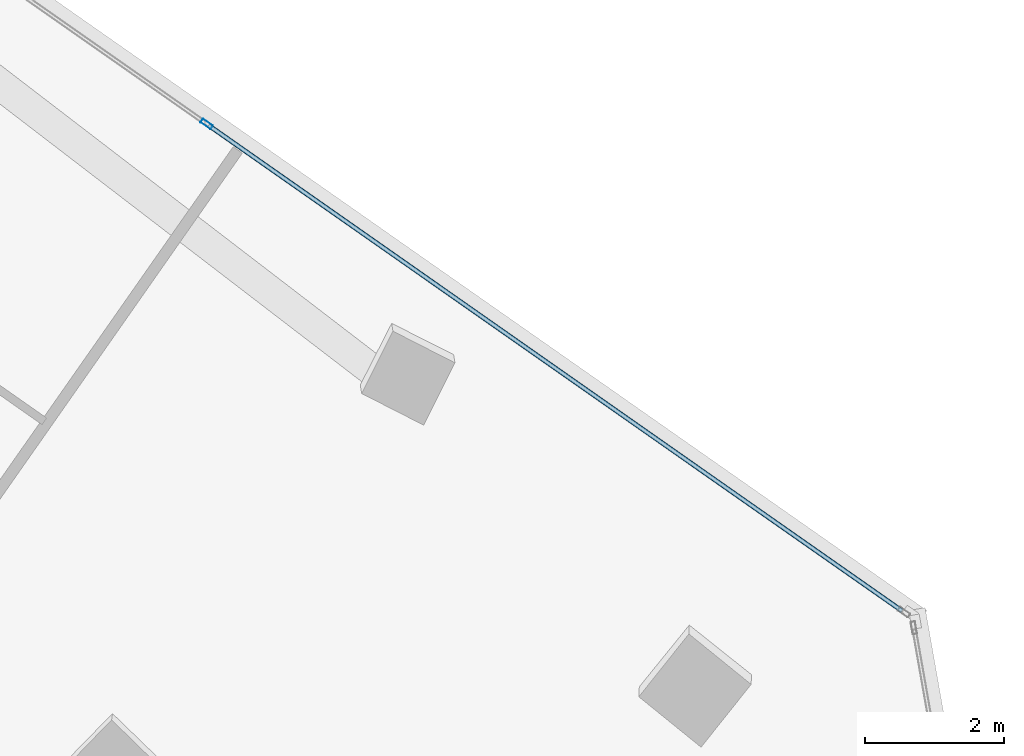
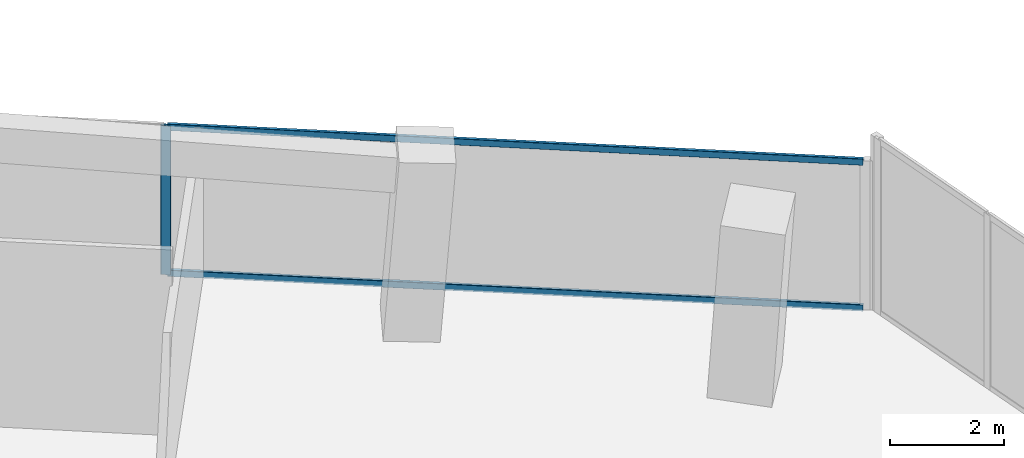
# One storey, part 10 of 21: 3 members, 1 element without a shape of its own.
"""IFC4 building model written with IfcOpenShell, lengths in metres."""

from ifc_helpers import new_model, si_unit, direction, frame, origin, origin_2d, place, context, subcontext, project, spatial, hollow_rectangle, extrude, source, transform, mapped, material, material_profile, profile_set, type_object, element, aggregate, save


model = new_model("IFC4")

# Units and contexts
model_context = context("Model", 3, precision=1e-05, world=origin(), true_north=direction((0.0, 1.0)))
body_context = subcontext(model_context, "Body", "Model", "MODEL_VIEW")
ifc_project = project(units=[si_unit("LENGTHUNIT", "METRE"), si_unit("AREAUNIT", "SQUARE_METRE"), si_unit("VOLUMEUNIT", "CUBIC_METRE"), si_unit("PLANEANGLEUNIT", "RADIAN"), si_unit("MASSUNIT", "GRAM", prefix="KILO")], contexts=[model_context])

# Site, building, storey
site_placement = place(None, origin())
site = spatial("IfcSite", under=ifc_project, at=site_placement, CompositionType="ELEMENT")
building_placement = place(site_placement, origin())
building = spatial("IfcBuilding", under=site, at=building_placement, Name="Torre Montelarca", CompositionType="ELEMENT")
storey_placement = place(building_placement, frame((0.0, 0.0, 200.199951171875)))
storey = spatial("IfcBuildingStorey", under=building, at=storey_placement, Name="L45", CompositionType="ELEMENT", Elevation=200.199951171875)

# Curtain wall, members
ifc_material_1 = material(Name="Insulated low-E laminated glass", Category="glass")
curtain_wall_type = type_object("IfcCurtainWallType", Name="CW-SYS-Z2", PredefinedType="USERDEFINED", material=ifc_material_1)
curtain_wall_placement = place(storey_placement, origin())
curtain_wall = element("IfcCurtainWall", 1, at=curtain_wall_placement, inside=storey, type_object=curtain_wall_type, Name="L45 Curtain Wall Run CW-T3-L45-E08-B1", ObjectType="UNITISED GLAZING", PredefinedType="USERDEFINED")
ifc_material_2 = material(Name="Anodised aluminium AA 6063-T6", Category="aluminium")
ifc_material_profile_1 = material_profile(ifc_material_2, hollow_rectangle(XDim=0.06494140625, YDim=0.179931640625, WallThickness=0.00390625, InnerFilletRadius=0.00390625, OuterFilletRadius=0.008056640625, at=origin_2d()), Name="ALU65X180X4", Category="aluminium")
ifc_profile_set_1 = profile_set([ifc_material_profile_1], Name="Anodised aluminium AA 6063-T6")
member_type_1 = type_object("IfcMemberType", Name="CWM-ALU180", PredefinedType="MULLION", material=ifc_profile_set_1)
shared_shape_1 = source(origin(), body_context, "Body", "SweptSolid", [
    extrude(hollow_rectangle(XDim=0.06494140625, YDim=0.179931640625, WallThickness=0.00390625, InnerFilletRadius=0.00390625, OuterFilletRadius=0.008056640625, at=origin_2d()), origin(), (0.0, 0.0, 1.0), 3.175048828125),
])
member_1_placement = place(storey_placement, frame((39.2685546875, 39.17626953125, 0.0), z_axis=(0.0, 0.0, 1.0), x_axis=(-0.573571512445, -0.819155492023, 0.0)))
member_1 = element("IfcMember", 2, at=member_1_placement, type_object=member_type_1, Name="CW mullion 2", PredefinedType="MULLION", context=body_context, shape_type="MappedRepresentation", body=[
    mapped(shared_shape_1, transform((0.0, 0.0, 0.0), scale=1.0)),
])
ifc_material_profile_2 = material_profile(ifc_material_2, hollow_rectangle(XDim=0.06494140625, YDim=0.139892578125, WallThickness=0.00390625, InnerFilletRadius=0.00390625, OuterFilletRadius=0.008056640625, at=origin_2d()), Name="ALU65X140X4", Category="aluminium")
ifc_profile_set_2 = profile_set([ifc_material_profile_2], Name="Anodised aluminium AA 6063-T6")
member_type_2 = type_object("IfcMemberType", Name="CWT-ALU140", PredefinedType="USERDEFINED", material=ifc_profile_set_2)
shared_shape_2 = source(origin(), body_context, "Body", "SweptSolid", [
    extrude(hollow_rectangle(XDim=0.06494140625, YDim=0.139892578125, WallThickness=0.00390625, InnerFilletRadius=0.00390625, OuterFilletRadius=0.008056640625, at=origin_2d()), origin(), (0.0, 0.0, 1.0), 12.197509765625),
])
member_2_placement = place(storey_placement, frame((49.286865234375, 32.161376953125, 0.032470703125), z_axis=(-0.819158568052, 0.57356711934, 0.0), x_axis=(-0.57356711934, -0.819158568052, 0.0)))
member_2 = element("IfcMember", 3, at=member_2_placement, type_object=member_type_2, Name="CW transom 1.1", ObjectType="TRANSOM", PredefinedType="USERDEFINED", context=body_context, shape_type="MappedRepresentation", body=[
    mapped(shared_shape_2, transform((0.0, 0.0, 0.0), scale=1.0)),
])
member_3_placement = place(storey_placement, frame((49.286865234375, 32.161376953125, 3.142578125), z_axis=(-0.819158568052, 0.57356711934, 0.0), x_axis=(-0.57356711934, -0.819158568052, 0.0)))
member_3 = element("IfcMember", 4, at=member_3_placement, type_object=member_type_2, Name="CW transom 1.2", ObjectType="TRANSOM", PredefinedType="USERDEFINED", context=body_context, shape_type="MappedRepresentation", body=[
    mapped(shared_shape_2, transform((0.0, 0.0, 0.0), scale=1.0)),
])
aggregate(curtain_wall, [member_1, member_2, member_3])

save(model, "model.ifc")
